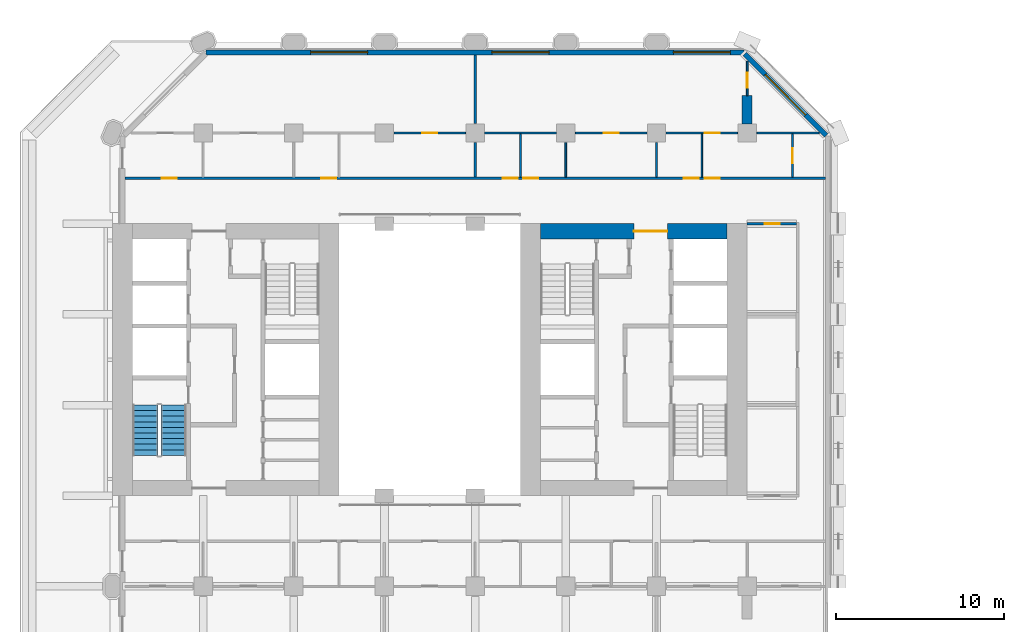
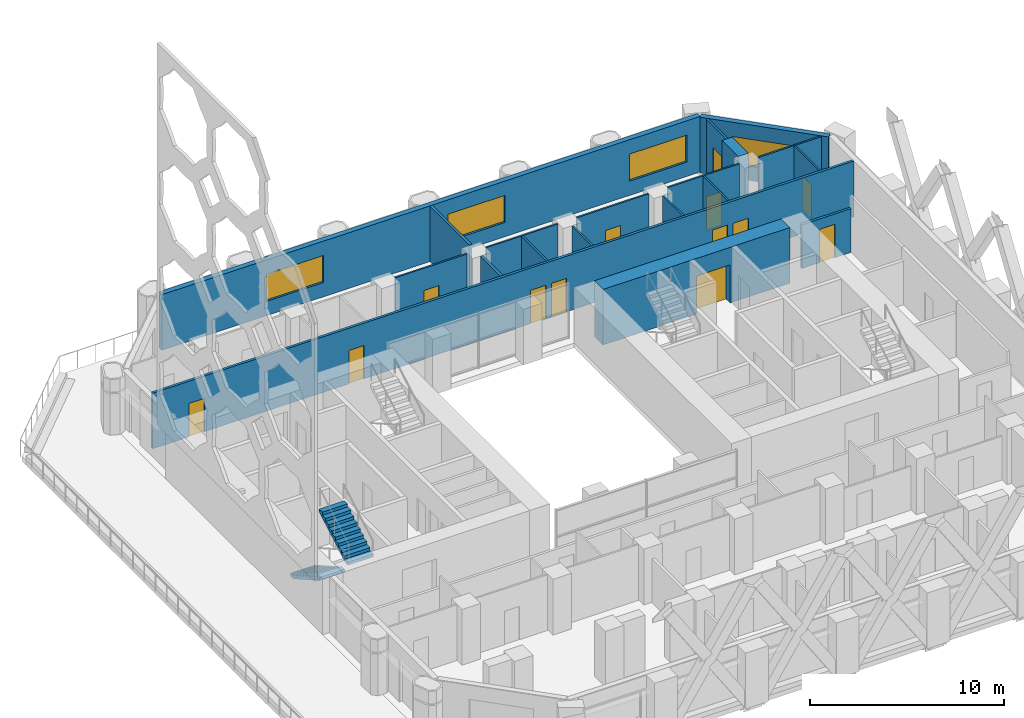
# One storey, part 10 of 14: 19 walls, 13 doors, 4 windows, 2 stair flights, 17 openings, 1 element without a shape of its own.
"""IFC4 building model written with IfcOpenShell, lengths in metres."""

from ifc_helpers import new_model, si_unit, direction, frame, frame_2d, origin, place, context, subcontext, project, spatial, polyline, rectangle, outline, extrude, material, layer, layer_set, type_object, element, fill, aggregate, save


model = new_model("IFC4")

# Units and contexts
model_context = context("Model", 3, precision=1e-05, world=origin(), true_north=direction((0.0, 1.0)))
body_context = subcontext(model_context, "Body", "Model", "MODEL_VIEW")
ifc_project = project(units=[si_unit("LENGTHUNIT", "METRE"), si_unit("AREAUNIT", "SQUARE_METRE"), si_unit("VOLUMEUNIT", "CUBIC_METRE"), si_unit("PLANEANGLEUNIT", "RADIAN"), si_unit("MASSUNIT", "GRAM", prefix="KILO")], contexts=[model_context])

# Site, building, storey
site_placement = place(None, origin())
site = spatial("IfcSite", under=ifc_project, at=site_placement, CompositionType="ELEMENT")
building_placement = place(site_placement, origin())
building = spatial("IfcBuilding", under=site, at=building_placement, Name="Tabaq Tower and Sports Hall", CompositionType="ELEMENT")
storey_placement = place(building_placement, frame((0.0, 0.0, 33.60009765625)))
storey = spatial("IfcBuildingStorey", under=building, at=storey_placement, Name="L06", CompositionType="ELEMENT", Elevation=33.60009765625)

# Wall, opening, door
ifc_material_1 = material(Name="Concrete C60/75", Category="concrete")
ifc_layer_1 = layer(ifc_material_1, 0.89990234375)
ifc_layer_set_1 = layer_set([ifc_layer_1], Name="Core wall 900 Concrete C60/75")
wall_type_1 = type_object("IfcWallType", Name="Core wall 900 Concrete C60/75", PredefinedType="SOLIDWALL", material=ifc_layer_set_1)
wall_1_placement = place(storey_placement, frame((30.89990234375, 31.949951171875, 0.0), z_axis=(0.0, 0.0, 1.0), x_axis=(1.0, 0.0, 0.0)))
wall_1 = element("IfcWall", 1, at=wall_1_placement, inside=storey, type_object=wall_type_1, Name="Core wall E L06", PredefinedType="SOLIDWALL", context=body_context, shape_type="SweptSolid", body=[
    extrude(rectangle(XDim=11.10009765625, YDim=0.89990234375, at=frame_2d((5.550048828125, 0.0))), origin(), (0.0, 0.0, 1.0), 3.5),
])
opening_1_placement = place(wall_1_placement, frame((5.550048828125, 0.0, 0.0)))
opening_1 = element("IfcOpeningElement", 2, at=opening_1_placement, cuts=wall_1, Name="Opening PD-EL06-02", PredefinedType="OPENING", context=body_context, shape_type="SweptSolid", body=[
    extrude(rectangle(XDim=2.0, YDim=2.39990234375, at=frame_2d((1.0, 1.199951171875))), frame((0.0, 0.449951171875, 0.0), z_axis=(0.0, -1.0, 0.0), x_axis=(1.0, 0.0, 0.0)), (0.0, 0.0, 1.0), 0.89990234375),
])
ifc_material_2 = material(Name="Steel fire door", Category="steel")
door_type_1 = type_object("IfcDoorType", Name="Core entrance door 2000", OperationType="DOUBLE_DOOR_SINGLE_SWING", PredefinedType="DOOR", material=ifc_material_2)
door_1_placement = place(opening_1_placement, origin())
door_1 = element("IfcDoor", 3, at=door_1_placement, inside=storey, type_object=door_type_1, Name="Core entrance north E L06", OperationType="DOUBLE_DOOR_SINGLE_SWING", OverallHeight=2.39990234375, OverallWidth=2.0, PredefinedType="DOOR", context=body_context, shape_type="SweptSolid", body=[
    extrude(rectangle(XDim=2.0, YDim=2.39990234375, at=frame_2d((1.0, 1.199951171875))), frame((0.0, 0.02490234375, 0.0), z_axis=(0.0, -1.0, 0.0), x_axis=(1.0, 0.0, 0.0)), (0.0, 0.0, 1.0), 0.050048828125),
])
fill(opening_1, door_1)

ifc_material_3 = material(Name="Gypsum board on steel studs", Category="steel")
ifc_layer_2 = layer(ifc_material_3, 0.10009765625)
ifc_layer_set_2 = layer_set([ifc_layer_2], Name="Partition 100 Gypsum board")
wall_type_2 = type_object("IfcWallType", Name="Partition 100 Gypsum board", PredefinedType="PARTITIONING", material=ifc_layer_set_2)
wall_2_placement = place(storey_placement, frame((26.429931640625, 37.800048828125, 0.0), z_axis=(0.0, 0.0, 1.0), x_axis=(-1.0, 0.0, 0.0)))
wall_2 = element("IfcWall", 4, at=wall_2_placement, inside=storey, type_object=wall_type_2, Name="Partition wall L06", PredefinedType="PARTITIONING", context=body_context, shape_type="SweptSolid", body=[
    extrude(rectangle(XDim=4.260009765625, YDim=0.10009765625, at=frame_2d((2.1298828125, 0.0))), origin(), (0.0, 0.0, 1.0), 3.5),
])
opening_2_placement = place(wall_2_placement, frame((1.679931640625, 0.0, 0.0)))
opening_2 = element("IfcOpeningElement", 5, at=opening_2_placement, cuts=wall_2, Name="Opening L06-013", PredefinedType="OPENING", context=body_context, shape_type="SweptSolid", body=[
    extrude(rectangle(XDim=0.89990234375, YDim=2.10009765625, at=frame_2d((0.449951171875, 1.050048828125))), frame((0.0, 0.050048828125, 0.0), z_axis=(0.0, -1.0, 0.0), x_axis=(1.0, 0.0, 0.0)), (0.0, 0.0, 1.0), 0.10009765625),
])
ifc_material_4 = material(Name="Timber leaf in steel frame", Category="steel")
door_type_2 = type_object("IfcDoorType", Name="Internal door 900 right hand", OperationType="SINGLE_SWING_RIGHT", PredefinedType="DOOR", material=ifc_material_4)
door_2_placement = place(opening_2_placement, origin())
door_2 = element("IfcDoor", 6, at=door_2_placement, inside=storey, type_object=door_type_2, Name="Internal door L06-013", OperationType="SINGLE_SWING_RIGHT", OverallHeight=2.10009765625, OverallWidth=0.89990234375, PredefinedType="DOOR", context=body_context, shape_type="SweptSolid", body=[
    extrude(rectangle(XDim=0.89990234375, YDim=2.10009765625, at=frame_2d((0.449951171875, 1.050048828125))), frame((0.0, 0.02490234375, 0.0), z_axis=(0.0, -1.0, 0.0), x_axis=(1.0, 0.0, 0.0)), (0.0, 0.0, 1.0), 0.050048828125),
])
fill(opening_2, door_2)

# Walls
wall_3_placement = place(storey_placement, frame((29.699951171875, 35.175048828125, 0.0), z_axis=(0.0, 0.0, 1.0), x_axis=(0.0, 1.0, 0.0)))
element("IfcWall", 7, at=wall_3_placement, inside=storey, type_object=wall_type_2, Name="Partition wall L06", PredefinedType="PARTITIONING", context=body_context, shape_type="SweptSolid", body=[
    extrude(rectangle(XDim=2.574951171875, YDim=0.10009765625, at=frame_2d((1.28759765625, 0.0))), origin(), (0.0, 0.0, 1.0), 3.5),
])
wall_4_placement = place(storey_placement, frame((32.39990234375, 35.175048828125, 0.0), z_axis=(0.0, 0.0, 1.0), x_axis=(0.0, 1.0, 0.0)))
element("IfcWall", 8, at=wall_4_placement, inside=storey, type_object=wall_type_2, Name="Partition wall L06", PredefinedType="PARTITIONING", context=body_context, shape_type="SweptSolid", body=[
    extrude(rectangle(XDim=2.054931640625, YDim=0.10009765625, at=frame_2d((1.02734375, 0.0))), origin(), (0.0, 0.0, 1.0), 3.5),
])
wall_5_placement = place(storey_placement, frame((31.830078125, 37.800048828125, 0.0), z_axis=(0.0, 0.0, 1.0), x_axis=(-1.0, 0.0, 0.0)))
element("IfcWall", 9, at=wall_5_placement, inside=storey, type_object=wall_type_2, Name="Partition wall L06", PredefinedType="PARTITIONING", context=body_context, shape_type="SweptSolid", body=[
    extrude(rectangle(XDim=4.260009765625, YDim=0.10009765625, at=frame_2d((2.1298828125, 0.0))), origin(), (0.0, 0.0, 1.0), 3.5),
])
wall_6_placement = place(storey_placement, frame((37.800048828125, 35.175048828125, 0.0), z_axis=(0.0, 0.0, 1.0), x_axis=(0.0, 1.0, 0.0)))
element("IfcWall", 10, at=wall_6_placement, inside=storey, type_object=wall_type_2, Name="Partition wall L06", PredefinedType="PARTITIONING", context=body_context, shape_type="SweptSolid", body=[
    extrude(rectangle(XDim=2.054931640625, YDim=0.10009765625, at=frame_2d((1.02734375, 0.0))), origin(), (0.0, 0.0, 1.0), 3.5),
])

# Wall, opening, door
wall_7_placement = place(storey_placement, frame((37.22998046875, 37.800048828125, 0.0), z_axis=(0.0, 0.0, 1.0), x_axis=(-1.0, 0.0, 0.0)))
wall_7 = element("IfcWall", 11, at=wall_7_placement, inside=storey, type_object=wall_type_2, Name="Partition wall L06", PredefinedType="PARTITIONING", context=body_context, shape_type="SweptSolid", body=[
    extrude(rectangle(XDim=4.260009765625, YDim=0.10009765625, at=frame_2d((2.1298828125, 0.0))), origin(), (0.0, 0.0, 1.0), 3.5),
])
opening_3_placement = place(wall_7_placement, frame((1.679931640625, 0.0, 0.0)))
opening_3 = element("IfcOpeningElement", 12, at=opening_3_placement, cuts=wall_7, Name="Opening L06-014", PredefinedType="OPENING", context=body_context, shape_type="SweptSolid", body=[
    extrude(rectangle(XDim=0.89990234375, YDim=2.10009765625, at=frame_2d((0.449951171875, 1.050048828125))), frame((0.0, 0.050048828125, 0.0), z_axis=(0.0, -1.0, 0.0), x_axis=(1.0, 0.0, 0.0)), (0.0, 0.0, 1.0), 0.10009765625),
])
door_3_placement = place(opening_3_placement, origin())
door_3 = element("IfcDoor", 13, at=door_3_placement, inside=storey, type_object=door_type_2, Name="Internal door L06-014", OperationType="SINGLE_SWING_RIGHT", OverallHeight=2.10009765625, OverallWidth=0.89990234375, PredefinedType="DOOR", context=body_context, shape_type="SweptSolid", body=[
    extrude(rectangle(XDim=0.89990234375, YDim=2.10009765625, at=frame_2d((0.449951171875, 1.050048828125))), frame((0.0, 0.02490234375, 0.0), z_axis=(0.0, -1.0, 0.0), x_axis=(1.0, 0.0, 0.0)), (0.0, 0.0, 1.0), 0.050048828125),
])
fill(opening_3, door_3)

# Wall
wall_8_placement = place(storey_placement, frame((40.5, 35.175048828125, 0.0), z_axis=(0.0, 0.0, 1.0), x_axis=(0.0, 1.0, 0.0)))
element("IfcWall", 14, at=wall_8_placement, inside=storey, type_object=wall_type_2, Name="Partition wall L06", PredefinedType="PARTITIONING", context=body_context, shape_type="SweptSolid", body=[
    extrude(rectangle(XDim=2.574951171875, YDim=0.10009765625, at=frame_2d((1.28759765625, 0.0))), origin(), (0.0, 0.0, 1.0), 3.5),
])

# Wall, opening, door
wall_9_placement = place(storey_placement, frame((45.89990234375, 35.175048828125, 0.0), z_axis=(0.0, 0.0, 1.0), x_axis=(0.0, 1.0, 0.0)))
wall_9 = element("IfcWall", 15, at=wall_9_placement, inside=storey, type_object=wall_type_2, Name="Partition wall L06", PredefinedType="PARTITIONING", context=body_context, shape_type="SweptSolid", body=[
    extrude(rectangle(XDim=2.574951171875, YDim=0.10009765625, at=frame_2d((1.28759765625, 0.0))), origin(), (0.0, 0.0, 1.0), 3.5),
])
opening_4_placement = place(wall_9_placement, frame((0.824951171875, 0.0, 0.0)))
opening_4 = element("IfcOpeningElement", 16, at=opening_4_placement, cuts=wall_9, Name="Opening L06-015", PredefinedType="OPENING", context=body_context, shape_type="SweptSolid", body=[
    extrude(rectangle(XDim=0.89990234375, YDim=2.10009765625, at=frame_2d((0.449951171875, 1.050048828125))), frame((0.0, 0.050048828125, 0.0), z_axis=(0.0, -1.0, 0.0), x_axis=(1.0, 0.0, 0.0)), (0.0, 0.0, 1.0), 0.10009765625),
])
door_4_placement = place(opening_4_placement, origin())
door_4 = element("IfcDoor", 17, at=door_4_placement, inside=storey, type_object=door_type_2, Name="Internal door L06-015", OperationType="SINGLE_SWING_RIGHT", OverallHeight=2.10009765625, OverallWidth=0.89990234375, PredefinedType="DOOR", context=body_context, shape_type="SweptSolid", body=[
    extrude(rectangle(XDim=0.89990234375, YDim=2.10009765625, at=frame_2d((0.449951171875, 1.050048828125))), frame((0.0, 0.02490234375, 0.0), z_axis=(0.0, -1.0, 0.0), x_axis=(1.0, 0.0, 0.0)), (0.0, 0.0, 1.0), 0.050048828125),
])
fill(opening_4, door_4)

wall_10_placement = place(storey_placement, frame((42.6298828125, 37.800048828125, 0.0), z_axis=(0.0, 0.0, 1.0), x_axis=(-1.0, 0.0, 0.0)))
wall_10 = element("IfcWall", 18, at=wall_10_placement, inside=storey, type_object=wall_type_2, Name="Partition wall L06", PredefinedType="PARTITIONING", context=body_context, shape_type="SweptSolid", body=[
    extrude(rectangle(XDim=4.259765625, YDim=0.10009765625, at=frame_2d((2.1298828125, 0.0))), origin(), (0.0, 0.0, 1.0), 3.5),
])
opening_5_placement = place(wall_10_placement, frame((1.06005859375, 0.0, 0.0)))
opening_5 = element("IfcOpeningElement", 19, at=opening_5_placement, cuts=wall_10, Name="Opening L06-032", PredefinedType="OPENING", context=body_context, shape_type="SweptSolid", body=[
    extrude(rectangle(XDim=0.89990234375, YDim=2.10009765625, at=frame_2d((0.449951171875, 1.050048828125))), frame((0.0, 0.050048828125, 0.0), z_axis=(0.0, -1.0, 0.0), x_axis=(1.0, 0.0, 0.0)), (0.0, 0.0, 1.0), 0.10009765625),
])
door_5_placement = place(opening_5_placement, origin())
door_5 = element("IfcDoor", 20, at=door_5_placement, inside=storey, type_object=door_type_2, Name="Internal door L06-032", OperationType="SINGLE_SWING_RIGHT", OverallHeight=2.10009765625, OverallWidth=0.89990234375, PredefinedType="DOOR", context=body_context, shape_type="SweptSolid", body=[
    extrude(rectangle(XDim=0.89990234375, YDim=2.10009765625, at=frame_2d((0.449951171875, 1.050048828125))), frame((0.0, 0.02490234375, 0.0), z_axis=(0.0, -1.0, 0.0), x_axis=(1.0, 0.0, 0.0)), (0.0, 0.0, 1.0), 0.050048828125),
])
fill(opening_5, door_5)

# Wall
wall_11_placement = place(storey_placement, frame((47.48779296875, 37.800048828125, 0.0), z_axis=(0.0, 0.0, 1.0), x_axis=(-1.0, 0.0, 0.0)))
element("IfcWall", 21, at=wall_11_placement, inside=storey, type_object=wall_type_2, Name="Partition wall L06", PredefinedType="PARTITIONING", context=body_context, shape_type="SweptSolid", body=[
    extrude(rectangle(XDim=3.7177734375, YDim=0.10009765625, at=frame_2d((1.85888671875, 0.0))), origin(), (0.0, 0.0, 1.0), 3.5),
])

# Wall, opening, door
wall_12_placement = place(storey_placement, frame((43.199951171875, 40.02490234375, 0.0), z_axis=(0.0, 0.0, 1.0), x_axis=(0.0, 1.0, 0.0)))
wall_12 = element("IfcWall", 22, at=wall_12_placement, inside=storey, type_object=wall_type_2, Name="Partition wall L06", PredefinedType="PARTITIONING", context=body_context, shape_type="SweptSolid", body=[
    extrude(rectangle(XDim=2.06298828125, YDim=0.10009765625, at=frame_2d((1.031494140625, 0.0))), origin(), (0.0, 0.0, 1.0), 3.5),
])
opening_6_placement = place(wall_12_placement, frame((0.47509765625, 0.0, 0.0)))
opening_6 = element("IfcOpeningElement", 23, at=opening_6_placement, cuts=wall_12, Name="Opening L06-016", PredefinedType="OPENING", context=body_context, shape_type="SweptSolid", body=[
    extrude(rectangle(XDim=0.89990234375, YDim=2.10009765625, at=frame_2d((0.449951171875, 1.050048828125))), frame((0.0, 0.050048828125, 0.0), z_axis=(0.0, -1.0, 0.0), x_axis=(1.0, 0.0, 0.0)), (0.0, 0.0, 1.0), 0.10009765625),
])
ifc_material_5 = material(Name="Timber leaf in steel frame", Category="steel")
door_type_3 = type_object("IfcDoorType", Name="Internal door 900 left hand", OperationType="SINGLE_SWING_LEFT", PredefinedType="DOOR", material=ifc_material_5)
door_6_placement = place(opening_6_placement, origin())
door_6 = element("IfcDoor", 24, at=door_6_placement, inside=storey, type_object=door_type_3, Name="Internal door L06-016", OperationType="SINGLE_SWING_LEFT", OverallHeight=2.10009765625, OverallWidth=0.89990234375, PredefinedType="DOOR", context=body_context, shape_type="SweptSolid", body=[
    extrude(rectangle(XDim=0.89990234375, YDim=2.10009765625, at=frame_2d((0.449951171875, 1.050048828125))), frame((0.0, 0.02490234375, 0.0), z_axis=(0.0, -1.0, 0.0), x_axis=(1.0, 0.0, 0.0)), (0.0, 0.0, 1.0), 0.050048828125),
])
fill(opening_6, door_6)

# Wall
ifc_material_6 = material(Name="Concrete C60/75", Category="concrete")
ifc_layer_3 = layer(ifc_material_6, 0.60009765625)
ifc_layer_set_3 = layer_set([ifc_layer_3], Name="RC TRANSFER WALL 600 C60/75")
wall_type_3 = type_object("IfcWallType", Name="RC TRANSFER WALL 600 C60/75", PredefinedType="SHEAR", material=ifc_layer_set_3)
wall_13_placement = place(storey_placement, frame((43.199951171875, 38.35009765625, 0.0), z_axis=(0.0, 0.0, 1.0), x_axis=(0.0, 1.0, 0.0)))
element("IfcWall", 25, at=wall_13_placement, inside=storey, type_object=wall_type_3, Name="Transfer Wall L06 East 3", PredefinedType="SHEAR", context=body_context, shape_type="SweptSolid", body=[
    extrude(rectangle(XDim=1.6748046875, YDim=0.60009765625, at=frame_2d((0.83740234375, 0.0))), origin(), (0.0, 0.0, 1.0), 3.5),
])

# Wall, opening, door
ifc_material_7 = material(Name="Blockwork", Category="masonry")
ifc_layer_4 = layer(ifc_material_7, 0.14990234375)
ifc_layer_set_4 = layer_set([ifc_layer_4], Name="Separating wall 150 Blockwork")
wall_type_4 = type_object("IfcWallType", Name="Separating wall 150 Blockwork", PredefinedType="PARTITIONING", material=ifc_layer_set_4)
wall_14_placement = place(storey_placement, frame((46.125, 32.39990234375, 0.0), z_axis=(0.0, 0.0, 1.0), x_axis=(-1.0, 0.0, 0.0)))
wall_14 = element("IfcWall", 26, at=wall_14_placement, inside=storey, type_object=wall_type_4, Name="Separating wall L06", PredefinedType="PARTITIONING", context=body_context, shape_type="SweptSolid", body=[
    extrude(rectangle(XDim=2.925048828125, YDim=0.14990234375, at=frame_2d((1.46240234375, 0.0))), origin(), (0.0, 0.0, 1.0), 2.75),
])
opening_7_placement = place(wall_14_placement, frame((0.97509765625, 0.0, 0.0)))
opening_7 = element("IfcOpeningElement", 27, at=opening_7_placement, cuts=wall_14, Name="Opening L06-011", PredefinedType="OPENING", context=body_context, shape_type="SweptSolid", body=[
    extrude(rectangle(XDim=0.89990234375, YDim=2.10009765625, at=frame_2d((0.449951171875, 1.050048828125))), frame((0.0, 0.074951171875, 0.0), z_axis=(0.0, -1.0, 0.0), x_axis=(1.0, 0.0, 0.0)), (0.0, 0.0, 1.0), 0.14990234375),
])
door_7_placement = place(opening_7_placement, origin())
door_7 = element("IfcDoor", 28, at=door_7_placement, inside=storey, type_object=door_type_2, Name="Internal door L06-011", OperationType="SINGLE_SWING_RIGHT", OverallHeight=2.10009765625, OverallWidth=0.89990234375, PredefinedType="DOOR", context=body_context, shape_type="SweptSolid", body=[
    extrude(rectangle(XDim=0.89990234375, YDim=2.10009765625, at=frame_2d((0.449951171875, 1.050048828125))), frame((0.0, 0.02490234375, 0.0), z_axis=(0.0, -1.0, 0.0), x_axis=(1.0, 0.0, 0.0)), (0.0, 0.0, 1.0), 0.050048828125),
])
fill(opening_7, door_7)

# Wall, openings, doors
wall_15_placement = place(storey_placement, frame((6.15087890625, 35.10009765625, 0.0), z_axis=(0.0, 0.0, 1.0), x_axis=(1.0, 0.0, 0.0)))
wall_15 = element("IfcWall", 29, at=wall_15_placement, inside=storey, type_object=wall_type_4, Name="Separating wall L06", PredefinedType="PARTITIONING", context=body_context, shape_type="SweptSolid", body=[
    extrude(rectangle(XDim=41.6982421875, YDim=0.14990234375, at=frame_2d((20.84912109375, 0.0))), origin(), (0.0, 0.0, 1.0), 3.5),
])
opening_8_placement = place(wall_15_placement, frame((11.678955078125, 0.0, 0.0)))
opening_8 = element("IfcOpeningElement", 30, at=opening_8_placement, cuts=wall_15, Name="Opening L06-001", PredefinedType="OPENING", context=body_context, shape_type="SweptSolid", body=[
    extrude(rectangle(XDim=0.89990234375, YDim=2.10009765625, at=frame_2d((0.449951171875, 1.050048828125))), frame((0.0, 0.074951171875, 0.0), z_axis=(0.0, -1.0, 0.0), x_axis=(1.0, 0.0, 0.0)), (0.0, 0.0, 1.0), 0.14990234375),
])
opening_9_placement = place(wall_15_placement, frame((22.47900390625, 0.0, 0.0)))
opening_9 = element("IfcOpeningElement", 31, at=opening_9_placement, cuts=wall_15, Name="Opening L06-002", PredefinedType="OPENING", context=body_context, shape_type="SweptSolid", body=[
    extrude(rectangle(XDim=0.89990234375, YDim=2.10009765625, at=frame_2d((0.449951171875, 1.050048828125))), frame((0.0, 0.074951171875, 0.0), z_axis=(0.0, -1.0, 0.0), x_axis=(1.0, 0.0, 0.0)), (0.0, 0.0, 1.0), 0.14990234375),
])
opening_10_placement = place(wall_15_placement, frame((23.718994140625, 0.0, 0.0)))
opening_10 = element("IfcOpeningElement", 32, at=opening_10_placement, cuts=wall_15, Name="Opening L06-003", PredefinedType="OPENING", context=body_context, shape_type="SweptSolid", body=[
    extrude(rectangle(XDim=0.89990234375, YDim=2.10009765625, at=frame_2d((0.449951171875, 1.050048828125))), frame((0.0, 0.074951171875, 0.0), z_axis=(0.0, -1.0, 0.0), x_axis=(1.0, 0.0, 0.0)), (0.0, 0.0, 1.0), 0.14990234375),
])
opening_11_placement = place(wall_15_placement, frame((33.279052734375, 0.0, 0.0)))
opening_11 = element("IfcOpeningElement", 33, at=opening_11_placement, cuts=wall_15, Name="Opening L06-004", PredefinedType="OPENING", context=body_context, shape_type="SweptSolid", body=[
    extrude(rectangle(XDim=0.89990234375, YDim=2.10009765625, at=frame_2d((0.449951171875, 1.050048828125))), frame((0.0, 0.074951171875, 0.0), z_axis=(0.0, -1.0, 0.0), x_axis=(1.0, 0.0, 0.0)), (0.0, 0.0, 1.0), 0.14990234375),
])
opening_12_placement = place(wall_15_placement, frame((2.174072265625, 0.0, 0.0)))
opening_12 = element("IfcOpeningElement", 34, at=opening_12_placement, cuts=wall_15, Name="Opening L06-023", PredefinedType="OPENING", context=body_context, shape_type="SweptSolid", body=[
    extrude(rectangle(XDim=0.89990234375, YDim=2.10009765625, at=frame_2d((0.449951171875, 1.050048828125))), frame((0.0, 0.074951171875, 0.0), z_axis=(0.0, -1.0, 0.0), x_axis=(1.0, 0.0, 0.0)), (0.0, 0.0, 1.0), 0.14990234375),
])
opening_13_placement = place(wall_15_placement, frame((34.51904296875, 0.0, 0.0)))
opening_13 = element("IfcOpeningElement", 35, at=opening_13_placement, cuts=wall_15, Name="Opening L06-031", PredefinedType="OPENING", context=body_context, shape_type="SweptSolid", body=[
    extrude(rectangle(XDim=0.89990234375, YDim=2.10009765625, at=frame_2d((0.449951171875, 1.050048828125))), frame((0.0, 0.074951171875, 0.0), z_axis=(0.0, -1.0, 0.0), x_axis=(1.0, 0.0, 0.0)), (0.0, 0.0, 1.0), 0.14990234375),
])
ifc_material_8 = material(Name="Steel fire door", Category="steel")
door_type_4 = type_object("IfcDoorType", Name="Entrance door 900 left hand", OperationType="SINGLE_SWING_LEFT", PredefinedType="DOOR", material=ifc_material_8)
door_8_placement = place(opening_13_placement, origin())
door_8 = element("IfcDoor", 36, at=door_8_placement, inside=storey, type_object=door_type_4, Name="Entrance door L06-031", OperationType="SINGLE_SWING_LEFT", OverallHeight=2.10009765625, OverallWidth=0.89990234375, PredefinedType="DOOR", context=body_context, shape_type="SweptSolid", body=[
    extrude(rectangle(XDim=0.89990234375, YDim=2.10009765625, at=frame_2d((0.449951171875, 1.050048828125))), frame((0.0, 0.02490234375, 0.0), z_axis=(0.0, -1.0, 0.0), x_axis=(1.0, 0.0, 0.0)), (0.0, 0.0, 1.0), 0.050048828125),
])
fill(opening_13, door_8)
ifc_material_9 = material(Name="Steel fire door", Category="steel")
door_type_5 = type_object("IfcDoorType", Name="Entrance door 900 right hand", OperationType="SINGLE_SWING_RIGHT", PredefinedType="DOOR", material=ifc_material_9)
door_9_placement = place(opening_8_placement, origin())
door_9 = element("IfcDoor", 37, at=door_9_placement, inside=storey, type_object=door_type_5, Name="Entrance door L06-001", OperationType="SINGLE_SWING_RIGHT", OverallHeight=2.10009765625, OverallWidth=0.89990234375, PredefinedType="DOOR", context=body_context, shape_type="SweptSolid", body=[
    extrude(rectangle(XDim=0.89990234375, YDim=2.10009765625, at=frame_2d((0.449951171875, 1.050048828125))), frame((0.0, 0.02490234375, 0.0), z_axis=(0.0, -1.0, 0.0), x_axis=(1.0, 0.0, 0.0)), (0.0, 0.0, 1.0), 0.050048828125),
])
fill(opening_8, door_9)
door_10_placement = place(opening_9_placement, origin())
door_10 = element("IfcDoor", 38, at=door_10_placement, inside=storey, type_object=door_type_5, Name="Entrance door L06-002", OperationType="SINGLE_SWING_RIGHT", OverallHeight=2.10009765625, OverallWidth=0.89990234375, PredefinedType="DOOR", context=body_context, shape_type="SweptSolid", body=[
    extrude(rectangle(XDim=0.89990234375, YDim=2.10009765625, at=frame_2d((0.449951171875, 1.050048828125))), frame((0.0, 0.02490234375, 0.0), z_axis=(0.0, -1.0, 0.0), x_axis=(1.0, 0.0, 0.0)), (0.0, 0.0, 1.0), 0.050048828125),
])
fill(opening_9, door_10)
door_11_placement = place(opening_10_placement, origin())
door_11 = element("IfcDoor", 39, at=door_11_placement, inside=storey, type_object=door_type_5, Name="Entrance door L06-003", OperationType="SINGLE_SWING_RIGHT", OverallHeight=2.10009765625, OverallWidth=0.89990234375, PredefinedType="DOOR", context=body_context, shape_type="SweptSolid", body=[
    extrude(rectangle(XDim=0.89990234375, YDim=2.10009765625, at=frame_2d((0.449951171875, 1.050048828125))), frame((0.0, 0.02490234375, 0.0), z_axis=(0.0, -1.0, 0.0), x_axis=(1.0, 0.0, 0.0)), (0.0, 0.0, 1.0), 0.050048828125),
])
fill(opening_10, door_11)
door_12_placement = place(opening_11_placement, origin())
door_12 = element("IfcDoor", 40, at=door_12_placement, inside=storey, type_object=door_type_5, Name="Entrance door L06-004", OperationType="SINGLE_SWING_RIGHT", OverallHeight=2.10009765625, OverallWidth=0.89990234375, PredefinedType="DOOR", context=body_context, shape_type="SweptSolid", body=[
    extrude(rectangle(XDim=0.89990234375, YDim=2.10009765625, at=frame_2d((0.449951171875, 1.050048828125))), frame((0.0, 0.02490234375, 0.0), z_axis=(0.0, -1.0, 0.0), x_axis=(1.0, 0.0, 0.0)), (0.0, 0.0, 1.0), 0.050048828125),
])
fill(opening_11, door_12)
door_13_placement = place(opening_12_placement, origin())
door_13 = element("IfcDoor", 41, at=door_13_placement, inside=storey, type_object=door_type_5, Name="Entrance door L06-023", OperationType="SINGLE_SWING_RIGHT", OverallHeight=2.10009765625, OverallWidth=0.89990234375, PredefinedType="DOOR", context=body_context, shape_type="SweptSolid", body=[
    extrude(rectangle(XDim=0.89990234375, YDim=2.10009765625, at=frame_2d((0.449951171875, 1.050048828125))), frame((0.0, 0.02490234375, 0.0), z_axis=(0.0, -1.0, 0.0), x_axis=(1.0, 0.0, 0.0)), (0.0, 0.0, 1.0), 0.050048828125),
])
fill(opening_12, door_13)

# Walls
wall_16_placement = place(storey_placement, frame((27.0, 35.175048828125, 0.0), z_axis=(0.0, 0.0, 1.0), x_axis=(0.0, 1.0, 0.0)))
element("IfcWall", 42, at=wall_16_placement, inside=storey, type_object=wall_type_4, Name="Separating wall L06", PredefinedType="PARTITIONING", context=body_context, shape_type="SweptSolid", body=[
    extrude(rectangle(XDim=2.054931640625, YDim=0.14990234375, at=frame_2d((1.02734375, 0.0))), origin(), (0.0, 0.0, 1.0), 3.5),
])
wall_17_placement = place(storey_placement, frame((27.0, 38.3701171875, 0.0), z_axis=(0.0, 0.0, 1.0), x_axis=(0.0, 1.0, 0.0)))
element("IfcWall", 43, at=wall_17_placement, inside=storey, type_object=wall_type_4, Name="Separating wall L06", PredefinedType="PARTITIONING", context=body_context, shape_type="SweptSolid", body=[
    extrude(rectangle(XDim=4.078857421875, YDim=0.14990234375, at=frame_2d((2.03955078125, 0.0))), origin(), (0.0, 0.0, 1.0), 3.5),
])

# Wall, opening, window
ifc_material_10 = material(Name="White precast concrete C60/75", Category="concrete")
ifc_layer_5 = layer(ifc_material_10, 0.300048828125)
ifc_layer_set_5 = layer_set([ifc_layer_5], Name="White precast concrete C60/75 external wall 300")
wall_type_5 = type_object("IfcWallType", Name="White precast concrete C60/75 external wall 300", PredefinedType="SOLIDWALL", material=ifc_layer_set_5)
wall_18_placement = place(storey_placement, frame((47.901123046875, 37.650390625, 0.0), z_axis=(0.0, 0.0, 1.0), x_axis=(-0.707106781187, 0.707106781187, 0.0)))
wall_18 = element("IfcWall", 44, at=wall_18_placement, inside=storey, type_object=wall_type_5, Name="External Wall L06 NE", PredefinedType="SOLIDWALL", context=body_context, shape_type="SweptSolid", body=[
    extrude(rectangle(XDim=6.85986328125, YDim=0.300048828125, at=frame_2d((3.429931640625, 0.0))), origin(), (0.0, 0.0, 1.0), 3.5),
])
opening_14_placement = place(wall_18_placement, frame((1.729736328125, 0.0, 0.89990234375)))
opening_14 = element("IfcOpeningElement", 45, at=opening_14_placement, cuts=wall_18, Name="Opening W1A", PredefinedType="OPENING", context=body_context, shape_type="SweptSolid", body=[
    extrude(rectangle(XDim=3.39990234375, YDim=1.699951171875, at=frame_2d((1.699951171875, 0.85009765625))), frame((0.0, 0.16015625, 0.0), z_axis=(0.0, -1.0, 0.0), x_axis=(1.0, 0.0, 0.0)), (0.0, 0.0, 1.0), 0.320068359375),
])
ifc_material_11 = material(Name="Aluminium framed clear glazing", Category="aluminium")
window_type = type_object("IfcWindowType", Name="Window W1A", PartitioningType="SINGLE_PANEL", PredefinedType="WINDOW", material=ifc_material_11)
window_1_placement = place(opening_14_placement, origin())
window_1 = element("IfcWindow", 46, at=window_1_placement, inside=storey, type_object=window_type, Name="Window W1A L06", OverallHeight=1.699951171875, OverallWidth=3.39990234375, PartitioningType="SINGLE_PANEL", PredefinedType="WINDOW", context=body_context, shape_type="SweptSolid", body=[
    extrude(rectangle(XDim=3.39990234375, YDim=1.699951171875, at=frame_2d((1.699951171875, 0.85009765625))), frame((0.0, 0.030029296875, 0.0), z_axis=(0.0, -1.0, 0.0), x_axis=(1.0, 0.0, 0.0)), (0.0, 0.0, 1.0), 0.06005859375),
])
fill(opening_14, window_1)

# Wall, openings, windows
wall_19_placement = place(storey_placement, frame((43.013671875, 42.60009765625, 0.0), z_axis=(0.0, 0.0, 1.0), x_axis=(-1.0, 0.0, 0.0)))
wall_19 = element("IfcWall", 47, at=wall_19_placement, inside=storey, type_object=wall_type_5, Name="External Wall L06 N", PredefinedType="SOLIDWALL", context=body_context, shape_type="SweptSolid", body=[
    extrude(rectangle(XDim=32.02734375, YDim=0.300048828125, at=frame_2d((16.013671875, 0.0))), origin(), (0.0, 0.0, 1.0), 3.5),
])
opening_15_placement = place(wall_19_placement, frame((0.813720703125, 0.0, 0.89990234375)))
opening_15 = element("IfcOpeningElement", 48, at=opening_15_placement, cuts=wall_19, Name="Opening W1A", PredefinedType="OPENING", context=body_context, shape_type="SweptSolid", body=[
    extrude(rectangle(XDim=3.39990234375, YDim=1.699951171875, at=frame_2d((1.699951171875, 0.85009765625))), frame((0.0, 0.16015625, 0.0), z_axis=(0.0, -1.0, 0.0), x_axis=(1.0, 0.0, 0.0)), (0.0, 0.0, 1.0), 0.320068359375),
])
opening_16_placement = place(wall_19_placement, frame((11.613525390625, 0.0, 0.89990234375)))
opening_16 = element("IfcOpeningElement", 49, at=opening_16_placement, cuts=wall_19, Name="Opening W1A", PredefinedType="OPENING", context=body_context, shape_type="SweptSolid", body=[
    extrude(rectangle(XDim=3.39990234375, YDim=1.699951171875, at=frame_2d((1.699951171875, 0.85009765625))), frame((0.0, 0.16015625, 0.0), z_axis=(0.0, -1.0, 0.0), x_axis=(1.0, 0.0, 0.0)), (0.0, 0.0, 1.0), 0.320068359375),
])
opening_17_placement = place(wall_19_placement, frame((22.41357421875, 0.0, 0.89990234375)))
opening_17 = element("IfcOpeningElement", 50, at=opening_17_placement, cuts=wall_19, Name="Opening W1A", PredefinedType="OPENING", context=body_context, shape_type="SweptSolid", body=[
    extrude(rectangle(XDim=3.39990234375, YDim=1.699951171875, at=frame_2d((1.699951171875, 0.85009765625))), frame((0.0, 0.16015625, 0.0), z_axis=(0.0, -1.0, 0.0), x_axis=(1.0, 0.0, 0.0)), (0.0, 0.0, 1.0), 0.320068359375),
])
window_2_placement = place(opening_15_placement, origin())
window_2 = element("IfcWindow", 51, at=window_2_placement, inside=storey, type_object=window_type, Name="Window W1A L06", OverallHeight=1.699951171875, OverallWidth=3.39990234375, PartitioningType="SINGLE_PANEL", PredefinedType="WINDOW", context=body_context, shape_type="SweptSolid", body=[
    extrude(rectangle(XDim=3.39990234375, YDim=1.699951171875, at=frame_2d((1.699951171875, 0.85009765625))), frame((0.0, 0.030029296875, 0.0), z_axis=(0.0, -1.0, 0.0), x_axis=(1.0, 0.0, 0.0)), (0.0, 0.0, 1.0), 0.06005859375),
])
fill(opening_15, window_2)
window_3_placement = place(opening_16_placement, origin())
window_3 = element("IfcWindow", 52, at=window_3_placement, inside=storey, type_object=window_type, Name="Window W1A L06", OverallHeight=1.699951171875, OverallWidth=3.39990234375, PartitioningType="SINGLE_PANEL", PredefinedType="WINDOW", context=body_context, shape_type="SweptSolid", body=[
    extrude(rectangle(XDim=3.39990234375, YDim=1.699951171875, at=frame_2d((1.699951171875, 0.85009765625))), frame((0.0, 0.030029296875, 0.0), z_axis=(0.0, -1.0, 0.0), x_axis=(1.0, 0.0, 0.0)), (0.0, 0.0, 1.0), 0.06005859375),
])
fill(opening_16, window_3)
window_4_placement = place(opening_17_placement, origin())
window_4 = element("IfcWindow", 53, at=window_4_placement, inside=storey, type_object=window_type, Name="Window W1A L06", OverallHeight=1.699951171875, OverallWidth=3.39990234375, PartitioningType="SINGLE_PANEL", PredefinedType="WINDOW", context=body_context, shape_type="SweptSolid", body=[
    extrude(rectangle(XDim=3.39990234375, YDim=1.699951171875, at=frame_2d((1.699951171875, 0.85009765625))), frame((0.0, 0.030029296875, 0.0), z_axis=(0.0, -1.0, 0.0), x_axis=(1.0, 0.0, 0.0)), (0.0, 0.0, 1.0), 0.06005859375),
])
fill(opening_17, window_4)

# Stair, stair flights
ifc_material_12 = material(Name="Concrete C40/50", Category="concrete")
stair_type = type_object("IfcStairType", Name="Exit stair", PredefinedType="HALF_TURN_STAIR", material=ifc_material_12)
stair_placement = place(storey_placement, origin())
stair = element("IfcStair", 54, at=stair_placement, inside=storey, type_object=stair_type, Name="L06 Exit stair ST1", PredefinedType="HALF_TURN_STAIR")
ifc_material_13 = material(Name="Concrete C40/50", Category="concrete")
stair_flight_type = type_object("IfcStairFlightType", Name="Exit stair flight", PredefinedType="STRAIGHT", material=ifc_material_13)
stair_flight_1_placement = place(storey_placement, frame((7.35009765625, 21.60009765625, 0.0), z_axis=(0.0, 0.0, 1.0), x_axis=(0.0, -1.0, 0.0)))
stair_flight_1 = element("IfcStairFlight", 55, at=stair_flight_1_placement, type_object=stair_flight_type, Name="ST1 flight 1", NumberOfRisers=10, NumberOfTreads=9, PredefinedType="STRAIGHT", RiserHeight=0.19, TreadLength=0.333333333, context=body_context, shape_type="SweptSolid", body=[
    extrude(outline(polyline([(0.0, 0.0), (0.0, 0.18994140625), (0.333251953125, 0.18994140625), (0.333251953125, 0.3798828125), (0.666748046875, 0.3798828125), (0.666748046875, 0.570068359375), (1.0, 0.570068359375), (1.0, 0.760009765625), (1.333251953125, 0.760009765625), (1.333251953125, 0.949951171875), (1.666748046875, 0.949951171875), (1.666748046875, 1.139892578125), (2.0, 1.139892578125), (2.0, 1.330078125), (2.333251953125, 1.330078125), (2.333251953125, 1.52001953125), (2.666748046875, 1.52001953125), (2.666748046875, 1.7099609375), (3.0, 1.7099609375), (3.0, 1.89990234375), (3.0, 1.537353515625), (0.302734375, 0.0), (0.0, 0.0)])), frame((0.0, 0.75, 0.0), z_axis=(0.0, -1.0, 0.0), x_axis=(1.0, 0.0, 0.0)), (0.0, 0.0, 1.0), 1.5),
])
stair_flight_2_placement = place(storey_placement, frame((9.050048828125, 18.60009765625, 1.89990234375), z_axis=(0.0, 0.0, 1.0), x_axis=(0.0, 1.0, 0.0)))
stair_flight_2 = element("IfcStairFlight", 56, at=stair_flight_2_placement, type_object=stair_flight_type, Name="ST1 flight 2", NumberOfRisers=10, NumberOfTreads=9, PredefinedType="STRAIGHT", RiserHeight=0.19, TreadLength=0.333333333, context=body_context, shape_type="SweptSolid", body=[
    extrude(outline(polyline([(0.0, 0.0), (0.0, 0.18994140625), (0.333251953125, 0.18994140625), (0.333251953125, 0.3798828125), (0.666748046875, 0.3798828125), (0.666748046875, 0.570068359375), (1.0, 0.570068359375), (1.0, 0.760009765625), (1.333251953125, 0.760009765625), (1.333251953125, 0.949951171875), (1.666748046875, 0.949951171875), (1.666748046875, 1.139892578125), (2.0, 1.139892578125), (2.0, 1.330078125), (2.333251953125, 1.330078125), (2.333251953125, 1.52001953125), (2.666748046875, 1.52001953125), (2.666748046875, 1.7099609375), (3.0, 1.7099609375), (3.0, 1.89990234375), (3.0, 1.537353515625), (0.302734375, 0.0), (0.0, 0.0)])), frame((0.0, 0.75, 0.0), z_axis=(0.0, -1.0, 0.0), x_axis=(1.0, 0.0, 0.0)), (0.0, 0.0, 1.0), 1.5),
])
aggregate(stair, [stair_flight_1, stair_flight_2])

save(model, "model.ifc")
